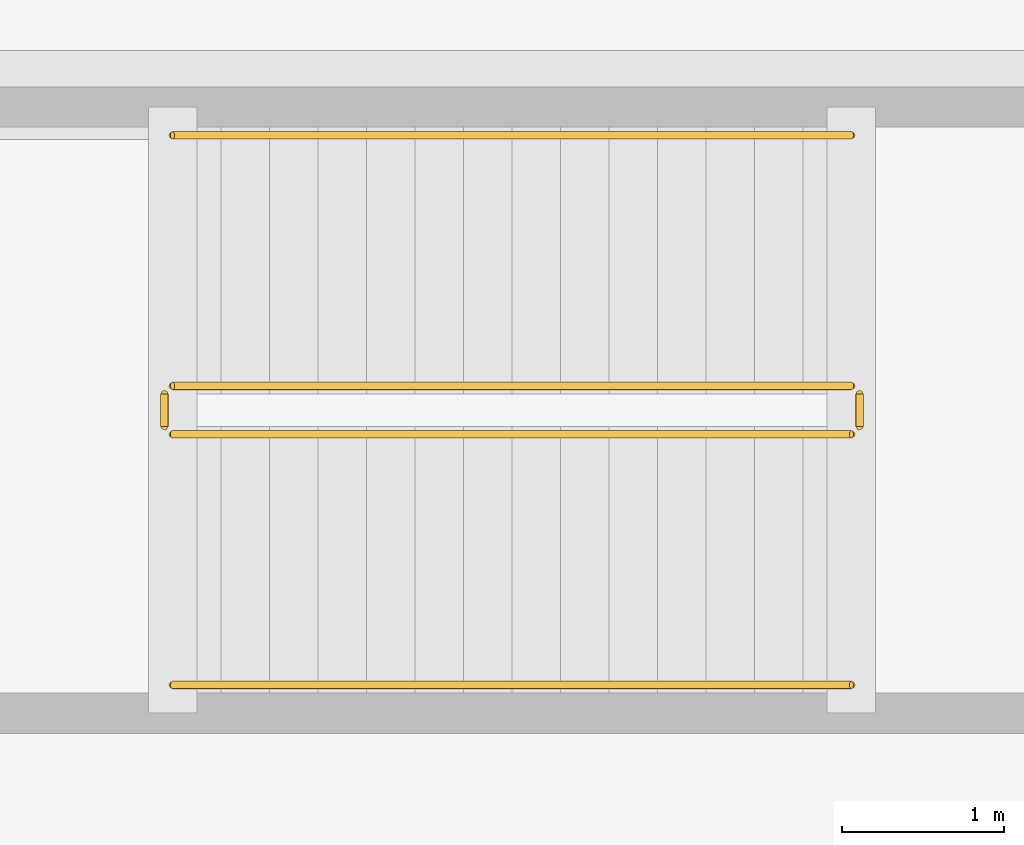
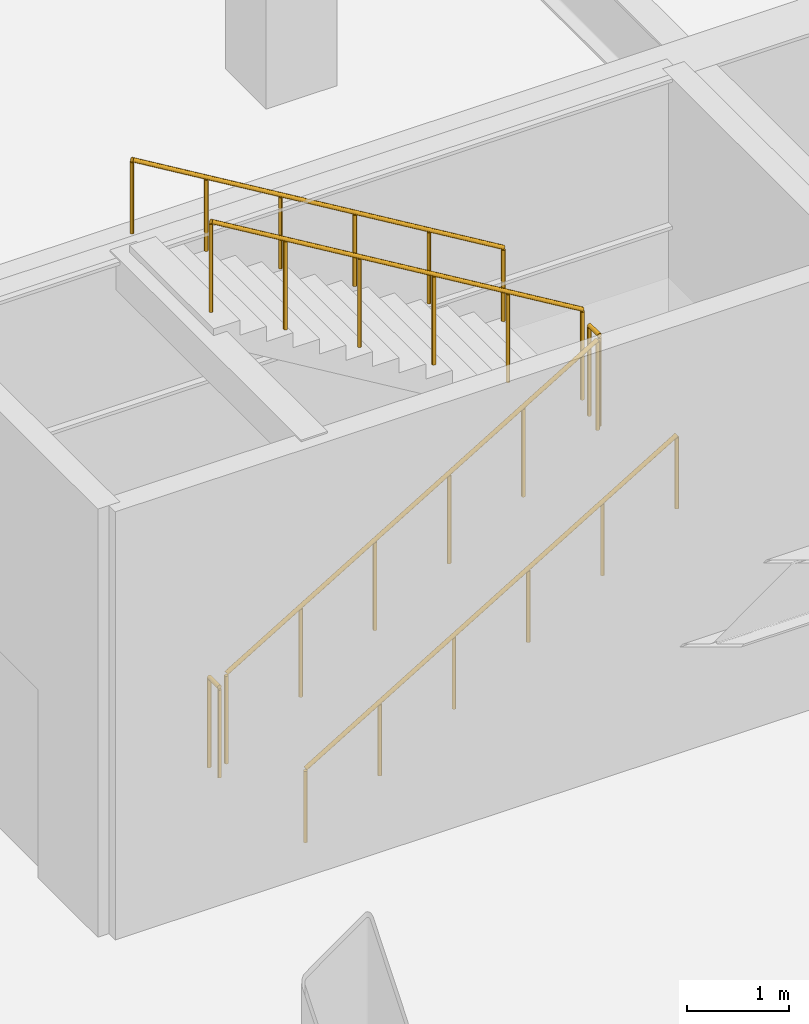
# One storey, part 47 of 55: 6 railings.
"""IFC4 building model written with IfcOpenShell, lengths in metres."""

from ifc_helpers import new_model, si_unit, direction, frame, origin, origin_2d, place, context, subcontext, project, spatial, circle, extrude, material, type_object, element, save


model = new_model("IFC4")

# Units and contexts
model_context = context("Model", 3, precision=1e-05, world=origin(), true_north=direction((0.0, 1.0)))
body_context = subcontext(model_context, "Body", "Model", "MODEL_VIEW")
ifc_project = project(units=[si_unit("LENGTHUNIT", "METRE"), si_unit("AREAUNIT", "SQUARE_METRE"), si_unit("VOLUMEUNIT", "CUBIC_METRE"), si_unit("PLANEANGLEUNIT", "RADIAN"), si_unit("MASSUNIT", "GRAM", prefix="KILO")], contexts=[model_context])

# Site, building, storey
site_placement = place(None, origin())
site = spatial("IfcSite", under=ifc_project, at=site_placement, CompositionType="ELEMENT")
building_placement = place(site_placement, origin())
building = spatial("IfcBuilding", under=site, at=building_placement, Name="Kazehara Bluff Congress Hotel", CompositionType="ELEMENT")
storey_placement = place(building_placement, frame((0.0, 0.0, -5.39990234375)))
storey = spatial("IfcBuildingStorey", under=building, at=storey_placement, Name="B1", CompositionType="ELEMENT", Elevation=-5.39990234375)

# Railings
ifc_material_1 = material(Name="Brushed stainless steel", Category="steel")
railing_type_1 = type_object("IfcRailingType", Name="TP-GRD-INT", PredefinedType="GUARDRAIL", material=ifc_material_1)
railing_1_placement = place(storey_placement, frame((78.0, 54.35009765625, 0.179931640625)))
element("IfcRailing", 1, at=railing_1_placement, inside=storey, type_object=railing_type_1, Name="B1 ST-09 stair guard 1", PredefinedType="GUARDRAIL", context=body_context, shape_type="SweptSolid", body=[
    extrude(circle(Radius=0.02392578125, at=origin_2d()), frame((0.0, 0.0, 1.076171875), z_axis=(0.857488527567, 0.0, 0.514503085598), x_axis=(0.0, 1.0, 0.0)), (0.0, 0.0, 1.0), 4.89794921875),
    extrude(circle(Radius=0.02099609375, at=origin_2d()), origin(), (0.0, 0.0, 1.0), 1.052001953125),
    extrude(circle(Radius=0.02099609375, at=origin_2d()), frame((0.840087890625, 0.0, 0.50390625)), (0.0, 0.0, 1.0), 1.052001953125),
    extrude(circle(Radius=0.02099609375, at=origin_2d()), frame((1.679931640625, 0.0, 1.008056640625)), (0.0, 0.0, 1.0), 1.052001953125),
    extrude(circle(Radius=0.02099609375, at=origin_2d()), frame((2.52001953125, 0.0, 1.511962890625)), (0.0, 0.0, 1.0), 1.052001953125),
    extrude(circle(Radius=0.02099609375, at=origin_2d()), frame((3.35986328125, 0.0, 2.01611328125)), (0.0, 0.0, 1.0), 1.052001953125),
    extrude(circle(Radius=0.02099609375, at=origin_2d()), frame((4.199951171875, 0.0, 2.52001953125)), (0.0, 0.0, 1.0), 1.052001953125),
])
railing_2_placement = place(storey_placement, frame((82.25, 54.39990234375, 2.699951171875)))
element("IfcRailing", 2, at=railing_2_placement, inside=storey, type_object=railing_type_1, Name="B1 ST-09 stair guard 2", PredefinedType="GUARDRAIL", context=body_context, shape_type="SweptSolid", body=[
    extrude(circle(Radius=0.02392578125, at=origin_2d()), frame((0.0, 0.0, 1.076171875), z_axis=(0.0, 1.0, 0.0), x_axis=(-1.0, 0.0, 0.0)), (0.0, 0.0, 1.0), 0.2001953125),
    extrude(circle(Radius=0.02099609375, at=origin_2d()), origin(), (0.0, 0.0, 1.0), 1.052001953125),
    extrude(circle(Radius=0.02099609375, at=origin_2d()), frame((0.0, 0.2001953125, 0.0)), (0.0, 0.0, 1.0), 1.052001953125),
])
railing_3_placement = place(storey_placement, frame((82.199951171875, 54.64990234375, 2.8798828125)))
element("IfcRailing", 3, at=railing_3_placement, inside=storey, type_object=railing_type_1, Name="B1 ST-09 stair guard 3", PredefinedType="GUARDRAIL", context=body_context, shape_type="SweptSolid", body=[
    extrude(circle(Radius=0.02392578125, at=origin_2d()), frame((0.0, 0.0, 1.076171875), z_axis=(-0.857488527567, 0.0, 0.514503085598), x_axis=(0.0, -1.0, 0.0)), (0.0, 0.0, 1.0), 4.89794921875),
    extrude(circle(Radius=0.02099609375, at=origin_2d()), origin(), (0.0, 0.0, 1.0), 1.052001953125),
    extrude(circle(Radius=0.02099609375, at=origin_2d()), frame((-0.840087890625, 0.0, 0.50390625)), (0.0, 0.0, 1.0), 1.052001953125),
    extrude(circle(Radius=0.02099609375, at=origin_2d()), frame((-1.679931640625, 0.0, 1.008056640625)), (0.0, 0.0, 1.0), 1.052001953125),
    extrude(circle(Radius=0.02099609375, at=origin_2d()), frame((-2.52001953125, 0.0, 1.511962890625)), (0.0, 0.0, 1.0), 1.052001953125),
    extrude(circle(Radius=0.02099609375, at=origin_2d()), frame((-3.35986328125, 0.0, 2.01611328125)), (0.0, 0.0, 1.0), 1.052001953125),
    extrude(circle(Radius=0.02099609375, at=origin_2d()), frame((-4.199951171875, 0.0, 2.52001953125)), (0.0, 0.0, 1.0), 1.052001953125),
])
railing_4_placement = place(storey_placement, frame((77.949951171875, 54.39990234375, 0.0)))
element("IfcRailing", 4, at=railing_4_placement, inside=storey, type_object=railing_type_1, Name="B1 ST-09 stair guard 4", PredefinedType="GUARDRAIL", context=body_context, shape_type="SweptSolid", body=[
    extrude(circle(Radius=0.02392578125, at=origin_2d()), frame((0.0, 0.0, 1.076171875), z_axis=(0.0, 1.0, 0.0), x_axis=(-1.0, 0.0, 0.0)), (0.0, 0.0, 1.0), 0.2001953125),
    extrude(circle(Radius=0.02099609375, at=origin_2d()), origin(), (0.0, 0.0, 1.0), 1.052001953125),
    extrude(circle(Radius=0.02099609375, at=origin_2d()), frame((0.0, 0.2001953125, 0.0)), (0.0, 0.0, 1.0), 1.052001953125),
])
ifc_material_2 = material(Name="Brushed stainless steel", Category="steel")
railing_type_2 = type_object("IfcRailingType", Name="TP-HR-INT", PredefinedType="HANDRAIL", material=ifc_material_2)
railing_5_placement = place(storey_placement, frame((78.0, 52.800048828125, 0.179931640625)))
element("IfcRailing", 5, at=railing_5_placement, inside=storey, type_object=railing_type_2, Name="B1 ST-09 stair handrail 1", PredefinedType="HANDRAIL", context=body_context, shape_type="SweptSolid", body=[
    extrude(circle(Radius=0.02392578125, at=origin_2d()), frame((0.0, 0.0, 0.8759765625), z_axis=(0.857488527567, 0.0, 0.514503085598), x_axis=(0.0, 1.0, 0.0)), (0.0, 0.0, 1.0), 4.89794921875),
    extrude(circle(Radius=0.02099609375, at=origin_2d()), origin(), (0.0, 0.0, 1.0), 0.851806640625),
    extrude(circle(Radius=0.02099609375, at=origin_2d()), frame((0.840087890625, 0.0, 0.50390625)), (0.0, 0.0, 1.0), 0.851806640625),
    extrude(circle(Radius=0.02099609375, at=origin_2d()), frame((1.679931640625, 0.0, 1.008056640625)), (0.0, 0.0, 1.0), 0.851806640625),
    extrude(circle(Radius=0.02099609375, at=origin_2d()), frame((2.52001953125, 0.0, 1.511962890625)), (0.0, 0.0, 1.0), 0.851806640625),
    extrude(circle(Radius=0.02099609375, at=origin_2d()), frame((3.35986328125, 0.0, 2.01611328125)), (0.0, 0.0, 1.0), 0.851806640625),
    extrude(circle(Radius=0.02099609375, at=origin_2d()), frame((4.199951171875, 0.0, 2.52001953125)), (0.0, 0.0, 1.0), 0.851806640625),
])
railing_6_placement = place(storey_placement, frame((82.199951171875, 56.199951171875, 2.8798828125)))
element("IfcRailing", 6, at=railing_6_placement, inside=storey, type_object=railing_type_2, Name="B1 ST-09 stair handrail 2", PredefinedType="HANDRAIL", context=body_context, shape_type="SweptSolid", body=[
    extrude(circle(Radius=0.02392578125, at=origin_2d()), frame((0.0, 0.0, 0.8759765625), z_axis=(-0.857488527567, 0.0, 0.514503085598), x_axis=(0.0, -1.0, 0.0)), (0.0, 0.0, 1.0), 4.89794921875),
    extrude(circle(Radius=0.02099609375, at=origin_2d()), origin(), (0.0, 0.0, 1.0), 0.851806640625),
    extrude(circle(Radius=0.02099609375, at=origin_2d()), frame((-0.840087890625, 0.0, 0.50390625)), (0.0, 0.0, 1.0), 0.851806640625),
    extrude(circle(Radius=0.02099609375, at=origin_2d()), frame((-1.679931640625, 0.0, 1.008056640625)), (0.0, 0.0, 1.0), 0.851806640625),
    extrude(circle(Radius=0.02099609375, at=origin_2d()), frame((-2.52001953125, 0.0, 1.511962890625)), (0.0, 0.0, 1.0), 0.851806640625),
    extrude(circle(Radius=0.02099609375, at=origin_2d()), frame((-3.35986328125, 0.0, 2.01611328125)), (0.0, 0.0, 1.0), 0.851806640625),
    extrude(circle(Radius=0.02099609375, at=origin_2d()), frame((-4.199951171875, 0.0, 2.52001953125)), (0.0, 0.0, 1.0), 0.851806640625),
])

save(model, "model.ifc")
